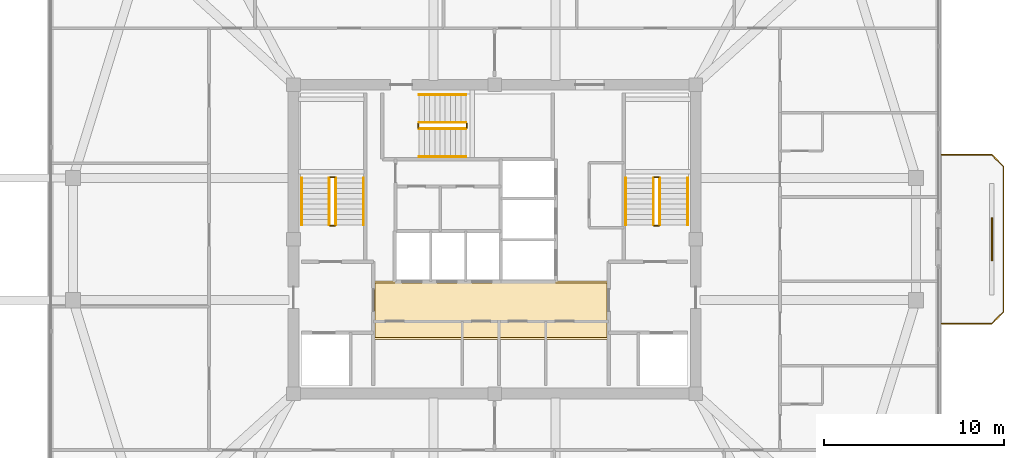
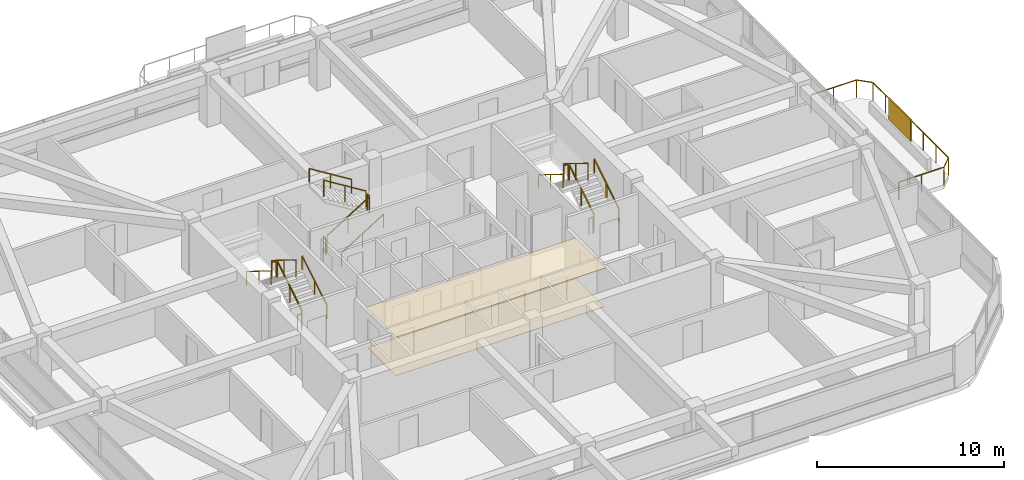
# One storey, part 13 of 14: 19 railings, 2 coverings, 1 shading device.
"""IFC4 building model written with IfcOpenShell, lengths in metres."""

from ifc_helpers import new_model, si_unit, derived_unit, direction, frame, origin, origin_2d, place, context, subcontext, project, spatial, polyline, rectangle, outline, extrude, material, layer, layer_set, type_object, element, save


model = new_model("IFC4")

# Units and contexts
model_context = context("Model", 3, precision=1e-05, world=origin(), true_north=direction((0.0, 1.0)))
body_context = subcontext(model_context, "Body", "Model", "MODEL_VIEW")
ifc_project = project(units=[si_unit("LENGTHUNIT", "METRE"), si_unit("AREAUNIT", "SQUARE_METRE"), si_unit("VOLUMEUNIT", "CUBIC_METRE"), si_unit("PLANEANGLEUNIT", "RADIAN"), si_unit("MASSUNIT", "GRAM", prefix="KILO"), derived_unit("THERMALTRANSMITTANCEUNIT", [(si_unit("POWERUNIT", "WATT"), 1), (si_unit("LENGTHUNIT", "METRE"), -2), (si_unit("THERMODYNAMICTEMPERATUREUNIT", "KELVIN"), -1)])], contexts=[model_context])

# Site, building, storey
site_placement = place(None, origin())
site = spatial("IfcSite", under=ifc_project, at=site_placement, CompositionType="ELEMENT")
building_placement = place(site_placement, origin())
building = spatial("IfcBuilding", under=site, at=building_placement, Name="Koralith Skygarden Medical Center", CompositionType="ELEMENT")
storey_placement = place(building_placement, frame((0.0, 0.0, 260.820068359375)))
storey = spatial("IfcBuildingStorey", under=building, at=storey_placement, Name="L67", CompositionType="ELEMENT", Elevation=260.820068359375)

# Covering
ifc_material_1 = material(Name="Acoustic Mineral Tile")
ifc_layer_1 = layer(ifc_material_1, 0.02001953125)
ifc_layer_set_1 = layer_set([ifc_layer_1], Name="Acoustic Mineral Tile")
covering_type_1 = type_object("IfcCoveringType", Name="Acoustic Hygienic Mineral Ceiling 20", PredefinedType="CEILING", material=ifc_layer_set_1)
covering_1_placement = place(storey_placement, frame((0.0, 0.0, 2.5849609375)))
element("IfcCovering", 1, at=covering_1_placement, inside=storey, type_object=covering_type_1, Name="L67 Core Lobby Acoustic Ceiling", PredefinedType="CEILING", context=body_context, shape_type="SweptSolid", body=[
    extrude(outline(polyline([(30.25, 20.320068359375), (43.35009765625, 20.320068359375), (43.35009765625, 23.56005859375), (30.25, 23.56005859375), (30.25, 20.320068359375)])), origin(), (0.0, 0.0, 1.0), 0.02001953125),
])

# Railing
ifc_material_2 = material(Name="Steel ASTM A500 Grade C", Category="steel")
railing_type_1 = type_object("IfcRailingType", Name="Outdoor Terrace & Balcony Safety Guardrail 1180", PredefinedType="GUARDRAIL", material=ifc_material_2)
railing_1_placement = place(storey_placement, frame((61.89990234375, 21.199951171875, 0.0)))
element("IfcRailing", 2, at=railing_1_placement, inside=storey, type_object=railing_type_1, Name="L67 E Balcony Perimeter Guardrail", PredefinedType="GUARDRAIL", context=body_context, shape_type="SweptSolid", body=[
    extrude(rectangle(XDim=0.050048828125, YDim=0.050048828125, at=origin_2d()), frame((0.001953125, 0.0, 1.15478515625), z_axis=(1.0, 0.0, 0.0), x_axis=(0.0, 1.0, 0.0)), (0.0, 0.0, 1.0), 2.796142578125),
    extrude(rectangle(XDim=0.050048828125, YDim=0.050048828125, at=origin_2d()), frame((2.801513671875, 0.00146484375, 1.15478515625), z_axis=(0.707106781187, 0.707106781187, 0.0), x_axis=(-0.707106781187, 0.707106781187, 0.0)), (0.0, 0.0, 1.0), 0.91552734375),
    extrude(rectangle(XDim=0.050048828125, YDim=0.050048828125, at=origin_2d()), frame((3.4501953125, 0.652099609375, 1.15478515625), z_axis=(0.0, 1.0, 0.0), x_axis=(-1.0, 0.0, 0.0)), (0.0, 0.0, 1.0), 8.095947265625),
    extrude(rectangle(XDim=0.050048828125, YDim=0.050048828125, at=origin_2d()), frame((3.44873046875, 8.75146484375, 1.15478515625), z_axis=(-0.707106781187, 0.707106781187, 0.0), x_axis=(-0.707106781187, -0.707106781187, 0.0)), (0.0, 0.0, 1.0), 0.91552734375),
    extrude(rectangle(XDim=0.050048828125, YDim=0.050048828125, at=origin_2d()), frame((2.798095703125, 9.400146484375, 1.15478515625), z_axis=(-1.0, 0.0, 0.0), x_axis=(0.0, -1.0, 0.0)), (0.0, 0.0, 1.0), 2.796142578125),
    extrude(rectangle(XDim=0.0419921875, YDim=0.0419921875, at=origin_2d()), origin(), (0.0, 0.0, 1.0), 1.1279296875),
    extrude(rectangle(XDim=0.0419921875, YDim=0.0419921875, at=origin_2d()), frame((1.39990234375, 0.0, 0.0)), (0.0, 0.0, 1.0), 1.1279296875),
    extrude(rectangle(XDim=0.0419921875, YDim=0.0419921875, at=origin_2d()), frame((2.800048828125, 0.0, 0.0)), (0.0, 0.0, 1.0), 1.1279296875),
    extrude(rectangle(XDim=0.0419921875, YDim=0.0419921875, at=origin_2d()), frame((3.4501953125, 0.650146484375, 0.0)), (0.0, 0.0, 1.0), 1.1279296875),
    extrude(rectangle(XDim=0.0419921875, YDim=0.0419921875, at=origin_2d()), frame((3.4501953125, 2.0, 0.0)), (0.0, 0.0, 1.0), 1.1279296875),
    extrude(rectangle(XDim=0.0419921875, YDim=0.0419921875, at=origin_2d()), frame((3.4501953125, 3.35009765625, 0.0)), (0.0, 0.0, 1.0), 1.1279296875),
    extrude(rectangle(XDim=0.0419921875, YDim=0.0419921875, at=origin_2d()), frame((3.4501953125, 4.7001953125, 0.0)), (0.0, 0.0, 1.0), 1.1279296875),
    extrude(rectangle(XDim=0.0419921875, YDim=0.0419921875, at=origin_2d()), frame((3.4501953125, 6.050048828125, 0.0)), (0.0, 0.0, 1.0), 1.1279296875),
    extrude(rectangle(XDim=0.0419921875, YDim=0.0419921875, at=origin_2d()), frame((3.4501953125, 7.39990234375, 0.0)), (0.0, 0.0, 1.0), 1.1279296875),
    extrude(rectangle(XDim=0.0419921875, YDim=0.0419921875, at=origin_2d()), frame((3.4501953125, 8.75, 0.0)), (0.0, 0.0, 1.0), 1.1279296875),
    extrude(rectangle(XDim=0.0419921875, YDim=0.0419921875, at=origin_2d()), frame((2.800048828125, 9.400146484375, 0.0)), (0.0, 0.0, 1.0), 1.1279296875),
    extrude(rectangle(XDim=0.0419921875, YDim=0.0419921875, at=origin_2d()), frame((1.39990234375, 9.400146484375, 0.0)), (0.0, 0.0, 1.0), 1.1279296875),
    extrude(rectangle(XDim=0.0419921875, YDim=0.0419921875, at=origin_2d()), frame((0.0, 9.400146484375, 0.0)), (0.0, 0.0, 1.0), 1.1279296875),
])

# Shading device
ifc_material_3 = material(Name="Aluminium 6063-T6", Category="aluminium")
ifc_layer_2 = layer(ifc_material_3, 0.080078125)
ifc_layer_set_2 = layer_set([ifc_layer_2], Name="Aluminium 6063-T6")
shading_device_type = type_object("IfcShadingDeviceType", Name="Perforated Biophilic Balcony Trellis Screen", PredefinedType="USERDEFINED", material=ifc_layer_set_2)
shading_device_placement = place(storey_placement, frame((64.699951171875, 25.89990234375, 0.719970703125), z_axis=(0.0, 0.0, 1.0), x_axis=(0.0, 1.0, 0.0)))
element("IfcShadingDevice", 3, at=shading_device_placement, inside=storey, type_object=shading_device_type, Name="L67 E Biophilic Balcony Trellis Screen", ObjectType="HURRICANE SCREEN", PredefinedType="USERDEFINED", context=body_context, shape_type="SweptSolid", body=[
    extrude(rectangle(XDim=2.39990234375, YDim=0.080078125, at=origin_2d()), origin(), (0.0, 0.0, 1.0), 1.39990234375),
])

# Covering
ifc_material_4 = material(Name="Medical Terrazzo Flooring")
ifc_layer_3 = layer(ifc_material_4, 0.014892578125)
ifc_layer_set_3 = layer_set([ifc_layer_3], Name="Medical Terrazzo Flooring")
covering_type_2 = type_object("IfcCoveringType", Name="Seamless Antimicrobial Terrazzo Flooring 15", PredefinedType="FLOORING", material=ifc_layer_set_3)
covering_2_placement = place(storey_placement, origin())
element("IfcCovering", 4, at=covering_2_placement, inside=storey, type_object=covering_type_2, Name="L67 Core Lobby Terrazzo Flooring", PredefinedType="FLOORING", context=body_context, shape_type="SweptSolid", body=[
    extrude(outline(polyline([(30.35009765625, 20.419921875), (43.25, 20.419921875), (43.25, 23.4599609375), (30.35009765625, 23.4599609375), (30.35009765625, 20.419921875)])), origin(), (0.0, 0.0, 1.0), 0.014892578125),
])

# Railings
railing_type_2 = type_object("IfcRailingType", Name="Stair Flight Tubular Handrail 920", PredefinedType="HANDRAIL", material=ifc_material_2)
railing_2_placement = place(storey_placement, frame((29.699951171875, 26.699951171875, 0.179931640625)))
element("IfcRailing", 5, at=railing_2_placement, inside=storey, type_object=railing_type_2, Name="L67 ST1 stair handrail 1", PredefinedType="HANDRAIL", context=body_context, shape_type="SweptSolid", body=[
    extrude(rectangle(XDim=0.050048828125, YDim=0.050048828125, at=origin_2d()), frame((0.0, 0.001708984375, 0.89599609375), z_axis=(0.0, 0.849632798774, 0.527374731332), x_axis=(-1.0, 0.0, 0.0)), (0.0, 0.0, 1.0), 3.068115234375),
    extrude(rectangle(XDim=0.0419921875, YDim=0.0419921875, at=origin_2d()), origin(), (0.0, 0.0, 1.0), 0.867919921875),
    extrude(rectangle(XDim=0.0419921875, YDim=0.0419921875, at=origin_2d()), frame((0.0, 1.30517578125, 0.81005859375)), (0.0, 0.0, 1.0), 0.867919921875),
    extrude(rectangle(XDim=0.0419921875, YDim=0.0419921875, at=origin_2d()), frame((0.0, 2.610107421875, 1.6201171875)), (0.0, 0.0, 1.0), 0.867919921875),
])
railing_3_placement = place(storey_placement, frame((26.25, 29.31005859375, 1.97998046875)))
element("IfcRailing", 6, at=railing_3_placement, inside=storey, type_object=railing_type_2, Name="L67 ST1 stair handrail 2", PredefinedType="HANDRAIL", context=body_context, shape_type="SweptSolid", body=[
    extrude(rectangle(XDim=0.050048828125, YDim=0.050048828125, at=origin_2d()), frame((0.0, -0.001708984375, 0.89599609375), z_axis=(0.0, -0.849668407637, 0.527317358963), x_axis=(1.0, 0.0, 0.0)), (0.0, 0.0, 1.0), 3.06787109375),
    extrude(rectangle(XDim=0.0419921875, YDim=0.0419921875, at=origin_2d()), origin(), (0.0, 0.0, 1.0), 0.867919921875),
    extrude(rectangle(XDim=0.0419921875, YDim=0.0419921875, at=origin_2d()), frame((0.0, -1.30517578125, 0.81005859375)), (0.0, 0.0, 1.0), 0.867919921875),
    extrude(rectangle(XDim=0.0419921875, YDim=0.0419921875, at=origin_2d()), frame((0.0, -2.610107421875, 1.619873046875)), (0.0, 0.0, 1.0), 0.867919921875),
])
railing_4_placement = place(storey_placement, frame((47.75, 26.699951171875, 0.179931640625)))
element("IfcRailing", 7, at=railing_4_placement, inside=storey, type_object=railing_type_2, Name="L67 ST2 stair handrail 1", PredefinedType="HANDRAIL", context=body_context, shape_type="SweptSolid", body=[
    extrude(rectangle(XDim=0.050048828125, YDim=0.050048828125, at=origin_2d()), frame((0.0, 0.001708984375, 0.89599609375), z_axis=(0.0, 0.849632798774, 0.527374731332), x_axis=(-1.0, 0.0, 0.0)), (0.0, 0.0, 1.0), 3.068115234375),
    extrude(rectangle(XDim=0.0419921875, YDim=0.0419921875, at=origin_2d()), origin(), (0.0, 0.0, 1.0), 0.867919921875),
    extrude(rectangle(XDim=0.0419921875, YDim=0.0419921875, at=origin_2d()), frame((0.0, 1.30517578125, 0.81005859375)), (0.0, 0.0, 1.0), 0.867919921875),
    extrude(rectangle(XDim=0.0419921875, YDim=0.0419921875, at=origin_2d()), frame((0.0, 2.610107421875, 1.6201171875)), (0.0, 0.0, 1.0), 0.867919921875),
])
railing_5_placement = place(storey_placement, frame((44.300048828125, 29.31005859375, 1.97998046875)))
element("IfcRailing", 8, at=railing_5_placement, inside=storey, type_object=railing_type_2, Name="L67 ST2 stair handrail 2", PredefinedType="HANDRAIL", context=body_context, shape_type="SweptSolid", body=[
    extrude(rectangle(XDim=0.050048828125, YDim=0.050048828125, at=origin_2d()), frame((0.0, -0.001708984375, 0.89599609375), z_axis=(0.0, -0.849668407637, 0.527317358963), x_axis=(1.0, 0.0, 0.0)), (0.0, 0.0, 1.0), 3.06787109375),
    extrude(rectangle(XDim=0.0419921875, YDim=0.0419921875, at=origin_2d()), origin(), (0.0, 0.0, 1.0), 0.867919921875),
    extrude(rectangle(XDim=0.0419921875, YDim=0.0419921875, at=origin_2d()), frame((0.0, -1.30517578125, 0.81005859375)), (0.0, 0.0, 1.0), 0.867919921875),
    extrude(rectangle(XDim=0.0419921875, YDim=0.0419921875, at=origin_2d()), frame((0.0, -2.610107421875, 1.619873046875)), (0.0, 0.0, 1.0), 0.867919921875),
])
railing_6_placement = place(storey_placement, frame((32.800048828125, 30.5, 0.179931640625)))
element("IfcRailing", 9, at=railing_6_placement, inside=storey, type_object=railing_type_2, Name="L67 ST3 stair handrail 1", PredefinedType="HANDRAIL", context=body_context, shape_type="SweptSolid", body=[
    extrude(rectangle(XDim=0.050048828125, YDim=0.050048828125, at=origin_2d()), frame((0.001708984375, 0.0, 0.89599609375), z_axis=(0.849610693518, 0.0, 0.52741034258), x_axis=(0.0, 1.0, 0.0)), (0.0, 0.0, 1.0), 3.06787109375),
    extrude(rectangle(XDim=0.0419921875, YDim=0.0419921875, at=origin_2d()), origin(), (0.0, 0.0, 1.0), 0.867919921875),
    extrude(rectangle(XDim=0.0419921875, YDim=0.0419921875, at=origin_2d()), frame((1.304931640625, 0.0, 0.81005859375)), (0.0, 0.0, 1.0), 0.867919921875),
    extrude(rectangle(XDim=0.0419921875, YDim=0.0419921875, at=origin_2d()), frame((2.60986328125, 0.0, 1.6201171875)), (0.0, 0.0, 1.0), 0.867919921875),
])
railing_7_placement = place(storey_placement, frame((35.409912109375, 33.949951171875, 1.97998046875)))
element("IfcRailing", 10, at=railing_7_placement, inside=storey, type_object=railing_type_2, Name="L67 ST3 stair handrail 2", PredefinedType="HANDRAIL", context=body_context, shape_type="SweptSolid", body=[
    extrude(rectangle(XDim=0.050048828125, YDim=0.050048828125, at=origin_2d()), frame((-0.001708984375, 0.0, 0.89599609375), z_axis=(-0.849646306263, 0.0, 0.527352969322), x_axis=(0.0, -1.0, 0.0)), (0.0, 0.0, 1.0), 3.067626953125),
    extrude(rectangle(XDim=0.0419921875, YDim=0.0419921875, at=origin_2d()), origin(), (0.0, 0.0, 1.0), 0.867919921875),
    extrude(rectangle(XDim=0.0419921875, YDim=0.0419921875, at=origin_2d()), frame((-1.304931640625, 0.0, 0.81005859375)), (0.0, 0.0, 1.0), 0.867919921875),
    extrude(rectangle(XDim=0.0419921875, YDim=0.0419921875, at=origin_2d()), frame((-2.60986328125, 0.0, 1.619873046875)), (0.0, 0.0, 1.0), 0.867919921875),
])
railing_type_3 = type_object("IfcRailingType", Name="Stair Well Safety Guardrail 1100", PredefinedType="GUARDRAIL", material=ifc_material_2)
railing_8_placement = place(storey_placement, frame((28.14990234375, 26.699951171875, 0.179931640625)))
element("IfcRailing", 11, at=railing_8_placement, inside=storey, type_object=railing_type_3, Name="L67 ST1 stair guard 1", PredefinedType="GUARDRAIL", context=body_context, shape_type="SweptSolid", body=[
    extrude(rectangle(XDim=0.050048828125, YDim=0.050048828125, at=origin_2d()), frame((0.0, 0.001708984375, 1.076171875), z_axis=(0.0, 0.849632798774, 0.527374731332), x_axis=(-1.0, 0.0, 0.0)), (0.0, 0.0, 1.0), 3.068115234375),
    extrude(rectangle(XDim=0.0419921875, YDim=0.0419921875, at=origin_2d()), origin(), (0.0, 0.0, 1.0), 1.048095703125),
    extrude(rectangle(XDim=0.0419921875, YDim=0.0419921875, at=origin_2d()), frame((0.0, 1.30517578125, 0.81005859375)), (0.0, 0.0, 1.0), 1.048095703125),
    extrude(rectangle(XDim=0.0419921875, YDim=0.0419921875, at=origin_2d()), frame((0.0, 2.610107421875, 1.6201171875)), (0.0, 0.0, 1.0), 1.048095703125),
])
railing_9_placement = place(storey_placement, frame((28.10009765625, 29.360107421875, 1.800048828125)))
element("IfcRailing", 12, at=railing_9_placement, inside=storey, type_object=railing_type_3, Name="L67 ST1 stair guard 2", PredefinedType="GUARDRAIL", context=body_context, shape_type="SweptSolid", body=[
    extrude(rectangle(XDim=0.050048828125, YDim=0.050048828125, at=origin_2d()), frame((-0.001953125, 0.0, 1.0751953125), z_axis=(-1.0, 0.0, 0.0), x_axis=(0.0, -1.0, 0.0)), (0.0, 0.0, 1.0), 0.24609375),
    extrude(rectangle(XDim=0.0419921875, YDim=0.0419921875, at=origin_2d()), origin(), (0.0, 0.0, 1.0), 1.048095703125),
    extrude(rectangle(XDim=0.0419921875, YDim=0.0419921875, at=origin_2d()), frame((-0.25, 0.0, 0.0)), (0.0, 0.0, 1.0), 1.048095703125),
])
railing_10_placement = place(storey_placement, frame((27.800048828125, 29.31005859375, 1.97998046875)))
element("IfcRailing", 13, at=railing_10_placement, inside=storey, type_object=railing_type_3, Name="L67 ST1 stair guard 3", PredefinedType="GUARDRAIL", context=body_context, shape_type="SweptSolid", body=[
    extrude(rectangle(XDim=0.050048828125, YDim=0.050048828125, at=origin_2d()), frame((0.0, -0.001708984375, 1.076171875), z_axis=(0.0, -0.849668407637, 0.527317358963), x_axis=(1.0, 0.0, 0.0)), (0.0, 0.0, 1.0), 3.06787109375),
    extrude(rectangle(XDim=0.0419921875, YDim=0.0419921875, at=origin_2d()), origin(), (0.0, 0.0, 1.0), 1.048095703125),
    extrude(rectangle(XDim=0.0419921875, YDim=0.0419921875, at=origin_2d()), frame((0.0, -1.30517578125, 0.81005859375)), (0.0, 0.0, 1.0), 1.048095703125),
    extrude(rectangle(XDim=0.0419921875, YDim=0.0419921875, at=origin_2d()), frame((0.0, -2.610107421875, 1.619873046875)), (0.0, 0.0, 1.0), 1.048095703125),
])
railing_11_placement = place(storey_placement, frame((28.10009765625, 26.64990234375, 0.0)))
element("IfcRailing", 14, at=railing_11_placement, inside=storey, type_object=railing_type_3, Name="L67 ST1 stair guard 4", PredefinedType="GUARDRAIL", context=body_context, shape_type="SweptSolid", body=[
    extrude(rectangle(XDim=0.050048828125, YDim=0.050048828125, at=origin_2d()), frame((-0.001953125, 0.0, 1.0751953125), z_axis=(-1.0, 0.0, 0.0), x_axis=(0.0, -1.0, 0.0)), (0.0, 0.0, 1.0), 0.24609375),
    extrude(rectangle(XDim=0.0419921875, YDim=0.0419921875, at=origin_2d()), origin(), (0.0, 0.0, 1.0), 1.048095703125),
    extrude(rectangle(XDim=0.0419921875, YDim=0.0419921875, at=origin_2d()), frame((-0.25, 0.0, 0.0)), (0.0, 0.0, 1.0), 1.048095703125),
])
railing_12_placement = place(storey_placement, frame((46.199951171875, 26.699951171875, 0.179931640625)))
element("IfcRailing", 15, at=railing_12_placement, inside=storey, type_object=railing_type_3, Name="L67 ST2 stair guard 1", PredefinedType="GUARDRAIL", context=body_context, shape_type="SweptSolid", body=[
    extrude(rectangle(XDim=0.050048828125, YDim=0.050048828125, at=origin_2d()), frame((0.0, 0.001708984375, 1.076171875), z_axis=(0.0, 0.849632798774, 0.527374731332), x_axis=(-1.0, 0.0, 0.0)), (0.0, 0.0, 1.0), 3.068115234375),
    extrude(rectangle(XDim=0.0419921875, YDim=0.0419921875, at=origin_2d()), origin(), (0.0, 0.0, 1.0), 1.048095703125),
    extrude(rectangle(XDim=0.0419921875, YDim=0.0419921875, at=origin_2d()), frame((0.0, 1.30517578125, 0.81005859375)), (0.0, 0.0, 1.0), 1.048095703125),
    extrude(rectangle(XDim=0.0419921875, YDim=0.0419921875, at=origin_2d()), frame((0.0, 2.610107421875, 1.6201171875)), (0.0, 0.0, 1.0), 1.048095703125),
])
railing_13_placement = place(storey_placement, frame((46.14990234375, 29.360107421875, 1.800048828125)))
element("IfcRailing", 16, at=railing_13_placement, inside=storey, type_object=railing_type_3, Name="L67 ST2 stair guard 2", PredefinedType="GUARDRAIL", context=body_context, shape_type="SweptSolid", body=[
    extrude(rectangle(XDim=0.050048828125, YDim=0.050048828125, at=origin_2d()), frame((-0.001953125, 0.0, 1.0751953125), z_axis=(-1.0, 0.0, 0.0), x_axis=(0.0, -1.0, 0.0)), (0.0, 0.0, 1.0), 0.24609375),
    extrude(rectangle(XDim=0.0419921875, YDim=0.0419921875, at=origin_2d()), origin(), (0.0, 0.0, 1.0), 1.048095703125),
    extrude(rectangle(XDim=0.0419921875, YDim=0.0419921875, at=origin_2d()), frame((-0.25, 0.0, 0.0)), (0.0, 0.0, 1.0), 1.048095703125),
])
railing_14_placement = place(storey_placement, frame((45.85009765625, 29.31005859375, 1.97998046875)))
element("IfcRailing", 17, at=railing_14_placement, inside=storey, type_object=railing_type_3, Name="L67 ST2 stair guard 3", PredefinedType="GUARDRAIL", context=body_context, shape_type="SweptSolid", body=[
    extrude(rectangle(XDim=0.050048828125, YDim=0.050048828125, at=origin_2d()), frame((0.0, -0.001708984375, 1.076171875), z_axis=(0.0, -0.849668407637, 0.527317358963), x_axis=(1.0, 0.0, 0.0)), (0.0, 0.0, 1.0), 3.06787109375),
    extrude(rectangle(XDim=0.0419921875, YDim=0.0419921875, at=origin_2d()), origin(), (0.0, 0.0, 1.0), 1.048095703125),
    extrude(rectangle(XDim=0.0419921875, YDim=0.0419921875, at=origin_2d()), frame((0.0, -1.30517578125, 0.81005859375)), (0.0, 0.0, 1.0), 1.048095703125),
    extrude(rectangle(XDim=0.0419921875, YDim=0.0419921875, at=origin_2d()), frame((0.0, -2.610107421875, 1.619873046875)), (0.0, 0.0, 1.0), 1.048095703125),
])
railing_15_placement = place(storey_placement, frame((46.14990234375, 26.64990234375, 0.0)))
element("IfcRailing", 18, at=railing_15_placement, inside=storey, type_object=railing_type_3, Name="L67 ST2 stair guard 4", PredefinedType="GUARDRAIL", context=body_context, shape_type="SweptSolid", body=[
    extrude(rectangle(XDim=0.050048828125, YDim=0.050048828125, at=origin_2d()), frame((-0.001953125, 0.0, 1.0751953125), z_axis=(-1.0, 0.0, 0.0), x_axis=(0.0, -1.0, 0.0)), (0.0, 0.0, 1.0), 0.24609375),
    extrude(rectangle(XDim=0.0419921875, YDim=0.0419921875, at=origin_2d()), origin(), (0.0, 0.0, 1.0), 1.048095703125),
    extrude(rectangle(XDim=0.0419921875, YDim=0.0419921875, at=origin_2d()), frame((-0.25, 0.0, 0.0)), (0.0, 0.0, 1.0), 1.048095703125),
])
railing_16_placement = place(storey_placement, frame((32.800048828125, 32.050048828125, 0.179931640625)))
element("IfcRailing", 19, at=railing_16_placement, inside=storey, type_object=railing_type_3, Name="L67 ST3 stair guard 1", PredefinedType="GUARDRAIL", context=body_context, shape_type="SweptSolid", body=[
    extrude(rectangle(XDim=0.050048828125, YDim=0.050048828125, at=origin_2d()), frame((0.001708984375, 0.0, 1.076171875), z_axis=(0.849610693518, 0.0, 0.52741034258), x_axis=(0.0, 1.0, 0.0)), (0.0, 0.0, 1.0), 3.06787109375),
    extrude(rectangle(XDim=0.0419921875, YDim=0.0419921875, at=origin_2d()), origin(), (0.0, 0.0, 1.0), 1.048095703125),
    extrude(rectangle(XDim=0.0419921875, YDim=0.0419921875, at=origin_2d()), frame((1.304931640625, 0.0, 0.81005859375)), (0.0, 0.0, 1.0), 1.048095703125),
    extrude(rectangle(XDim=0.0419921875, YDim=0.0419921875, at=origin_2d()), frame((2.60986328125, 0.0, 1.6201171875)), (0.0, 0.0, 1.0), 1.048095703125),
])
railing_17_placement = place(storey_placement, frame((35.4599609375, 32.10009765625, 1.800048828125)))
element("IfcRailing", 20, at=railing_17_placement, inside=storey, type_object=railing_type_3, Name="L67 ST3 stair guard 2", PredefinedType="GUARDRAIL", context=body_context, shape_type="SweptSolid", body=[
    extrude(rectangle(XDim=0.050048828125, YDim=0.050048828125, at=origin_2d()), frame((0.0, 0.001953125, 1.0751953125), z_axis=(0.0, 1.0, 0.0), x_axis=(-1.0, 0.0, 0.0)), (0.0, 0.0, 1.0), 0.24609375),
    extrude(rectangle(XDim=0.0419921875, YDim=0.0419921875, at=origin_2d()), origin(), (0.0, 0.0, 1.0), 1.048095703125),
    extrude(rectangle(XDim=0.0419921875, YDim=0.0419921875, at=origin_2d()), frame((0.0, 0.25, 0.0)), (0.0, 0.0, 1.0), 1.048095703125),
])
railing_18_placement = place(storey_placement, frame((35.409912109375, 32.39990234375, 1.97998046875)))
element("IfcRailing", 21, at=railing_18_placement, inside=storey, type_object=railing_type_3, Name="L67 ST3 stair guard 3", PredefinedType="GUARDRAIL", context=body_context, shape_type="SweptSolid", body=[
    extrude(rectangle(XDim=0.050048828125, YDim=0.050048828125, at=origin_2d()), frame((-0.001708984375, 0.0, 1.076171875), z_axis=(-0.849646306263, 0.0, 0.527352969322), x_axis=(0.0, -1.0, 0.0)), (0.0, 0.0, 1.0), 3.067626953125),
    extrude(rectangle(XDim=0.0419921875, YDim=0.0419921875, at=origin_2d()), origin(), (0.0, 0.0, 1.0), 1.048095703125),
    extrude(rectangle(XDim=0.0419921875, YDim=0.0419921875, at=origin_2d()), frame((-1.304931640625, 0.0, 0.81005859375)), (0.0, 0.0, 1.0), 1.048095703125),
    extrude(rectangle(XDim=0.0419921875, YDim=0.0419921875, at=origin_2d()), frame((-2.60986328125, 0.0, 1.619873046875)), (0.0, 0.0, 1.0), 1.048095703125),
])
railing_19_placement = place(storey_placement, frame((32.75, 32.10009765625, 0.0)))
element("IfcRailing", 22, at=railing_19_placement, inside=storey, type_object=railing_type_3, Name="L67 ST3 stair guard 4", PredefinedType="GUARDRAIL", context=body_context, shape_type="SweptSolid", body=[
    extrude(rectangle(XDim=0.050048828125, YDim=0.050048828125, at=origin_2d()), frame((0.0, 0.001953125, 1.0751953125), z_axis=(0.0, 1.0, 0.0), x_axis=(-1.0, 0.0, 0.0)), (0.0, 0.0, 1.0), 0.24609375),
    extrude(rectangle(XDim=0.0419921875, YDim=0.0419921875, at=origin_2d()), origin(), (0.0, 0.0, 1.0), 1.048095703125),
    extrude(rectangle(XDim=0.0419921875, YDim=0.0419921875, at=origin_2d()), frame((0.0, 0.25, 0.0)), (0.0, 0.0, 1.0), 1.048095703125),
])

save(model, "model.ifc")
